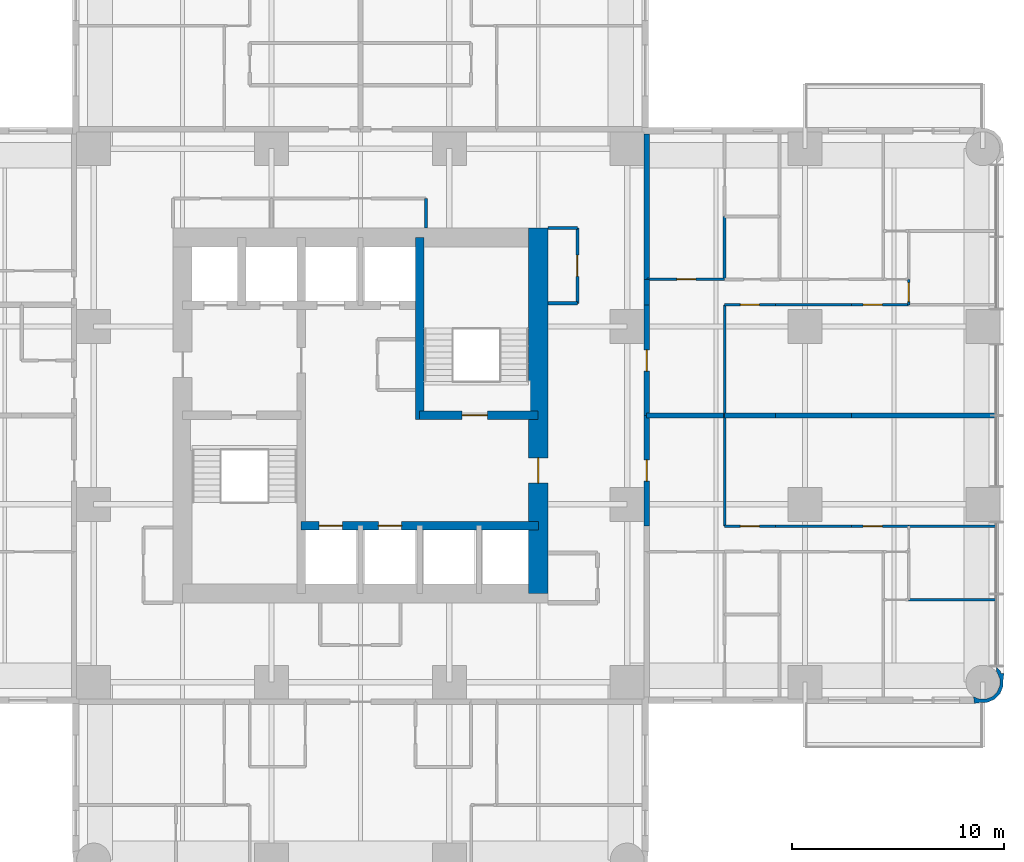
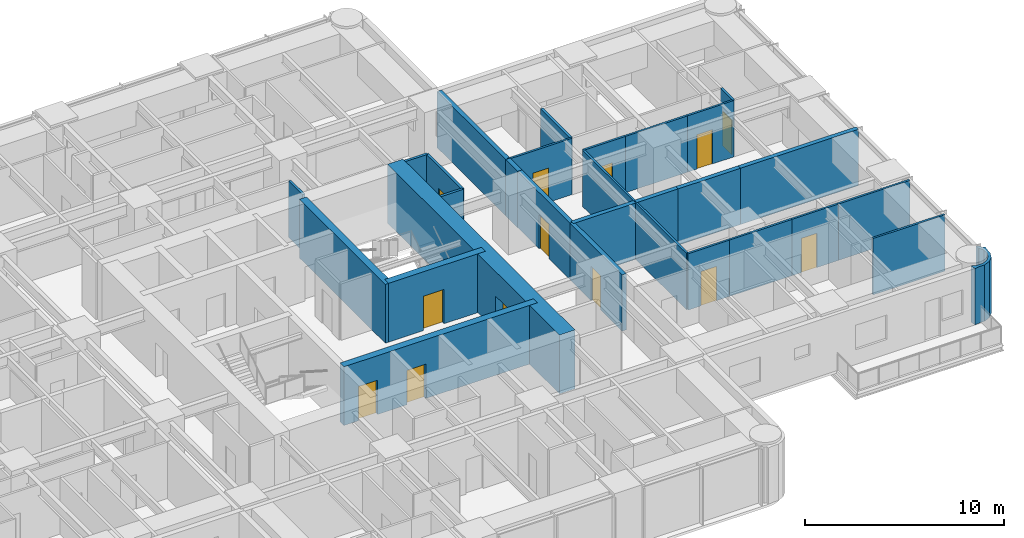
# One storey, part 10 of 15: 30 walls, 13 doors, 13 openings.
"""IFC4 building model written with IfcOpenShell, lengths in metres."""

from ifc_helpers import new_model, si_unit, direction, frame, frame_2d, origin, place, context, subcontext, project, spatial, polyline, rectangle, outline, extrude, material, layer, layer_set, type_object, element, fill, save


model = new_model("IFC4")

# Units and contexts
model_context = context("Model", 3, precision=1e-05, world=origin(), true_north=direction((0.0, 1.0)))
body_context = subcontext(model_context, "Body", "Model", "MODEL_VIEW")
ifc_project = project(units=[si_unit("LENGTHUNIT", "METRE"), si_unit("AREAUNIT", "SQUARE_METRE"), si_unit("VOLUMEUNIT", "CUBIC_METRE"), si_unit("PLANEANGLEUNIT", "RADIAN"), si_unit("MASSUNIT", "GRAM", prefix="KILO")], contexts=[model_context])

# Site, building, storey
site_placement = place(None, origin())
site = spatial("IfcSite", under=ifc_project, at=site_placement, CompositionType="ELEMENT")
building_placement = place(site_placement, origin())
building = spatial("IfcBuilding", under=site, at=building_placement, Name="Torre Alcanfor", CompositionType="ELEMENT")
storey_placement = place(building_placement, frame((0.0, 0.0, 119.699951171875)))
storey = spatial("IfcBuildingStorey", under=building, at=storey_placement, Name="L30", CompositionType="ELEMENT", Elevation=119.699951171875)

# Wall, opening, door
ifc_material_1 = material(Name="Concrete block masonry, hollow blocks NMX-C-404 9 MPa", Category="masonry")
ifc_layer_1 = layer(ifc_material_1, 0.25)
ifc_layer_set_1 = layer_set([ifc_layer_1], Name="Apartment entrance wall 250 EI 60")
wall_type_1 = type_object("IfcWallType", Name="Apartment entrance wall 250 EI 60", PredefinedType="PARTITIONING", material=ifc_layer_set_1)
wall_1_placement = place(storey_placement, frame((42.925048828125, 34.62890625, 0.0), z_axis=(0.0, 0.0, 1.0), x_axis=(0.0, -1.0, 0.0)))
wall_1 = element("IfcWall", 1, at=wall_1_placement, inside=storey, type_object=wall_type_1, Name="Partition L30-CORR / L30-E1-ZAG", PredefinedType="PARTITIONING", context=body_context, shape_type="SweptSolid", body=[
    extrude(rectangle(XDim=5.22900390625, YDim=0.25, at=frame_2d((2.614501953125, 0.0))), origin(), (0.0, 0.0, 1.0), 3.449951171875),
])
opening_1_placement = place(wall_1_placement, frame((2.12890625, 0.0, 0.0)))
opening_1 = element("IfcOpeningElement", 2, at=opening_1_placement, cuts=wall_1, Name="Opening D-A1", PredefinedType="OPENING", context=body_context, shape_type="SweptSolid", body=[
    extrude(rectangle(XDim=1.0, YDim=2.10009765625, at=frame_2d((0.5, 1.050048828125))), frame((0.0, 0.135009765625, 0.0), z_axis=(0.0, -1.0, 0.0), x_axis=(1.0, 0.0, 0.0)), (0.0, 0.0, 1.0), 0.27001953125),
])
ifc_material_2 = material(Name="Galvanised steel sheet ASTM A653", Category="steel")
door_type_1 = type_object("IfcDoorType", Name="Apartment entrance door FD60 1000x2100", OperationType="SINGLE_SWING_LEFT", PredefinedType="DOOR", material=ifc_material_2)
door_1_placement = place(opening_1_placement, origin())
door_1 = element("IfcDoor", 3, at=door_1_placement, inside=storey, type_object=door_type_1, Name="Apartment entrance L30-E1", OperationType="SINGLE_SWING_RIGHT", OverallHeight=2.10009765625, OverallWidth=1.0, PredefinedType="DOOR", context=body_context, shape_type="SweptSolid", body=[
    extrude(rectangle(XDim=1.0, YDim=2.10009765625, at=frame_2d((0.5, 1.050048828125))), frame((0.0, 0.02490234375, 0.0), z_axis=(0.0, -1.0, 0.0), x_axis=(1.0, 0.0, 0.0)), (0.0, 0.0, 1.0), 0.050048828125),
])
fill(opening_1, door_1)

# Walls
wall_2_placement = place(storey_placement, frame((42.925048828125, 35.8291015625, 0.0), z_axis=(0.0, 0.0, 1.0), x_axis=(0.0, -1.0, 0.0)))
element("IfcWall", 4, at=wall_2_placement, inside=storey, type_object=wall_type_1, Name="Partition L30-CORR / L30-E1-HALL", PredefinedType="PARTITIONING", context=body_context, shape_type="SweptSolid", body=[
    extrude(rectangle(XDim=1.2001953125, YDim=0.25, at=frame_2d((0.60009765625, 0.0))), origin(), (0.0, 0.0, 1.0), 3.449951171875),
])
wall_3_placement = place(storey_placement, frame((42.925048828125, 42.699951171875, 0.0), z_axis=(0.0, 0.0, 1.0), x_axis=(0.0, -1.0, 0.0)))
element("IfcWall", 5, at=wall_3_placement, inside=storey, type_object=wall_type_1, Name="Partition L30-CORR / L30-E1-SERV", PredefinedType="PARTITIONING", context=body_context, shape_type="SweptSolid", body=[
    extrude(rectangle(XDim=6.870849609375, YDim=0.25, at=frame_2d((3.435546875, 0.0))), origin(), (0.0, 0.0, 1.0), 3.449951171875),
])

# Wall, opening, door
wall_4_placement = place(storey_placement, frame((42.925048828125, 29.39990234375, 0.0), z_axis=(0.0, 0.0, 1.0), x_axis=(0.0, -1.0, 0.0)))
wall_4 = element("IfcWall", 6, at=wall_4_placement, inside=storey, type_object=wall_type_1, Name="Partition L30-CORR / L30-E2-ZAG", PredefinedType="PARTITIONING", context=body_context, shape_type="SweptSolid", body=[
    extrude(rectangle(XDim=5.22900390625, YDim=0.25, at=frame_2d((2.614501953125, 0.0))), origin(), (0.0, 0.0, 1.0), 3.449951171875),
])
opening_2_placement = place(wall_4_placement, frame((2.10009765625, 0.0, 0.0)))
opening_2 = element("IfcOpeningElement", 7, at=opening_2_placement, cuts=wall_4, Name="Opening D-A1", PredefinedType="OPENING", context=body_context, shape_type="SweptSolid", body=[
    extrude(rectangle(XDim=1.0, YDim=2.10009765625, at=frame_2d((0.5, 1.050048828125))), frame((0.0, 0.135009765625, 0.0), z_axis=(0.0, -1.0, 0.0), x_axis=(1.0, 0.0, 0.0)), (0.0, 0.0, 1.0), 0.27001953125),
])
door_2_placement = place(opening_2_placement, origin())
door_2 = element("IfcDoor", 8, at=door_2_placement, inside=storey, type_object=door_type_1, Name="Apartment entrance L30-E2", OperationType="SINGLE_SWING_LEFT", OverallHeight=2.10009765625, OverallWidth=1.0, PredefinedType="DOOR", context=body_context, shape_type="SweptSolid", body=[
    extrude(rectangle(XDim=1.0, YDim=2.10009765625, at=frame_2d((0.5, 1.050048828125))), frame((0.0, 0.02490234375, 0.0), z_axis=(0.0, -1.0, 0.0), x_axis=(1.0, 0.0, 0.0)), (0.0, 0.0, 1.0), 0.050048828125),
])
fill(opening_2, door_2)

# Wall
ifc_material_3 = material(Name="Gypsum board on steel studs", Category="steel")
ifc_layer_2 = layer(ifc_material_3, 0.1201171875)
ifc_layer_set_2 = layer_set([ifc_layer_2], Name="Apartment partition 120")
wall_type_2 = type_object("IfcWallType", Name="Apartment partition 120", PredefinedType="PARTITIONING", material=ifc_layer_set_2)
wall_5_placement = place(storey_placement, frame((46.60009765625, 29.39990234375, 0.0), z_axis=(0.0, 0.0, 1.0), x_axis=(0.0, 1.0, 0.0)))
element("IfcWall", 9, at=wall_5_placement, inside=storey, type_object=wall_type_2, Name="Partition L30-E1-ZAG / L30-E1-LAUND", PredefinedType="PARTITIONING", context=body_context, shape_type="SweptSolid", body=[
    extrude(rectangle(XDim=5.22900390625, YDim=0.1201171875, at=frame_2d((2.614501953125, 0.0))), origin(), (0.0, 0.0, 1.0), 3.449951171875),
])

# Wall, opening, door
wall_6_placement = place(storey_placement, frame((49.0, 34.62890625, 0.0), z_axis=(0.0, 0.0, 1.0), x_axis=(-1.0, 0.0, 0.0)))
wall_6 = element("IfcWall", 10, at=wall_6_placement, inside=storey, type_object=wall_type_2, Name="Partition L30-E1-LAUND / L30-E1-HALL", PredefinedType="PARTITIONING", context=body_context, shape_type="SweptSolid", body=[
    extrude(rectangle(XDim=2.39990234375, YDim=0.1201171875, at=frame_2d((1.199951171875, 0.0))), origin(), (0.0, 0.0, 1.0), 3.449951171875),
])
opening_3_placement = place(wall_6_placement, frame((0.75, 0.0, 0.0)))
opening_3 = element("IfcOpeningElement", 11, at=opening_3_placement, cuts=wall_6, Name="Opening D-R1", PredefinedType="OPENING", context=body_context, shape_type="SweptSolid", body=[
    extrude(rectangle(XDim=0.89990234375, YDim=2.10009765625, at=frame_2d((0.449951171875, 1.050048828125))), frame((0.0, 0.070068359375, 0.0), z_axis=(0.0, -1.0, 0.0), x_axis=(1.0, 0.0, 0.0)), (0.0, 0.0, 1.0), 0.14013671875),
])
ifc_material_4 = material(Name="Timber", Category="wood")
door_type_2 = type_object("IfcDoorType", Name="Internal door 900x2100", OperationType="SINGLE_SWING_LEFT", PredefinedType="DOOR", material=ifc_material_4)
door_3_placement = place(opening_3_placement, origin())
door_3 = element("IfcDoor", 12, at=door_3_placement, inside=storey, type_object=door_type_2, Name="Door L30-E1 laund", OperationType="SINGLE_SWING_LEFT", OverallHeight=2.10009765625, OverallWidth=0.89990234375, PredefinedType="DOOR", context=body_context, shape_type="SweptSolid", body=[
    extrude(rectangle(XDim=0.89990234375, YDim=2.10009765625, at=frame_2d((0.449951171875, 1.050048828125))), frame((0.0, 0.02490234375, 0.0), z_axis=(0.0, -1.0, 0.0), x_axis=(1.0, 0.0, 0.0)), (0.0, 0.0, 1.0), 0.050048828125),
])
fill(opening_3, door_3)

# Wall
wall_7_placement = place(storey_placement, frame((52.60009765625, 34.62890625, 0.0), z_axis=(0.0, 0.0, 1.0), x_axis=(-1.0, 0.0, 0.0)))
element("IfcWall", 13, at=wall_7_placement, inside=storey, type_object=wall_type_2, Name="Partition L30-E1-KITCHEN / L30-E1-HALL", PredefinedType="PARTITIONING", context=body_context, shape_type="SweptSolid", body=[
    extrude(rectangle(XDim=3.60009765625, YDim=0.1201171875, at=frame_2d((1.800048828125, 0.0))), origin(), (0.0, 0.0, 1.0), 3.449951171875),
])

# Wall, opening, door
wall_8_placement = place(storey_placement, frame((55.300048828125, 34.62890625, 0.0), z_axis=(0.0, 0.0, 1.0), x_axis=(-1.0, 0.0, 0.0)))
wall_8 = element("IfcWall", 14, at=wall_8_placement, inside=storey, type_object=wall_type_2, Name="Partition L30-E1-LIVING / L30-E1-HALL", PredefinedType="PARTITIONING", context=body_context, shape_type="SweptSolid", body=[
    extrude(rectangle(XDim=2.699951171875, YDim=0.1201171875, at=frame_2d((1.35009765625, 0.0))), origin(), (0.0, 0.0, 1.0), 3.449951171875),
])
opening_4_placement = place(wall_8_placement, frame((1.25, 0.0, 0.0)))
opening_4 = element("IfcOpeningElement", 15, at=opening_4_placement, cuts=wall_8, Name="Opening D-R1", PredefinedType="OPENING", context=body_context, shape_type="SweptSolid", body=[
    extrude(rectangle(XDim=0.89990234375, YDim=2.10009765625, at=frame_2d((0.449951171875, 1.050048828125))), frame((0.0, 0.070068359375, 0.0), z_axis=(0.0, -1.0, 0.0), x_axis=(1.0, 0.0, 0.0)), (0.0, 0.0, 1.0), 0.14013671875),
])
door_4_placement = place(opening_4_placement, origin())
door_4 = element("IfcDoor", 16, at=door_4_placement, inside=storey, type_object=door_type_2, Name="Door L30-E1 living", OperationType="SINGLE_SWING_RIGHT", OverallHeight=2.10009765625, OverallWidth=0.89990234375, PredefinedType="DOOR", context=body_context, shape_type="SweptSolid", body=[
    extrude(rectangle(XDim=0.89990234375, YDim=2.10009765625, at=frame_2d((0.449951171875, 1.050048828125))), frame((0.0, 0.02490234375, 0.0), z_axis=(0.0, -1.0, 0.0), x_axis=(1.0, 0.0, 0.0)), (0.0, 0.0, 1.0), 0.050048828125),
])
fill(opening_4, door_4)

wall_9_placement = place(storey_placement, frame((46.60009765625, 35.8291015625, 0.0), z_axis=(0.0, 0.0, 1.0), x_axis=(-1.0, 0.0, 0.0)))
wall_9 = element("IfcWall", 17, at=wall_9_placement, inside=storey, type_object=wall_type_2, Name="Partition L30-E1-HALL / L30-E1-SERV", PredefinedType="PARTITIONING", context=body_context, shape_type="SweptSolid", body=[
    extrude(rectangle(XDim=3.675048828125, YDim=0.1201171875, at=frame_2d((1.83740234375, 0.0))), origin(), (0.0, 0.0, 1.0), 3.449951171875),
])
opening_5_placement = place(wall_9_placement, frame((1.35009765625, 0.0, 0.0)))
opening_5 = element("IfcOpeningElement", 18, at=opening_5_placement, cuts=wall_9, Name="Opening D-R1", PredefinedType="OPENING", context=body_context, shape_type="SweptSolid", body=[
    extrude(rectangle(XDim=0.89990234375, YDim=2.10009765625, at=frame_2d((0.449951171875, 1.050048828125))), frame((0.0, 0.070068359375, 0.0), z_axis=(0.0, -1.0, 0.0), x_axis=(1.0, 0.0, 0.0)), (0.0, 0.0, 1.0), 0.14013671875),
])
door_5_placement = place(opening_5_placement, frame((0.89990234375, 0.0, 0.0), z_axis=(0.0, 0.0, 1.0), x_axis=(-1.0, 0.0, 0.0)))
door_5 = element("IfcDoor", 19, at=door_5_placement, inside=storey, type_object=door_type_2, Name="Door L30-E1 serv", OperationType="SINGLE_SWING_RIGHT", OverallHeight=2.10009765625, OverallWidth=0.89990234375, PredefinedType="DOOR", context=body_context, shape_type="SweptSolid", body=[
    extrude(rectangle(XDim=0.89990234375, YDim=2.10009765625, at=frame_2d((0.449951171875, 1.050048828125))), frame((0.0, 0.025146484375, 0.0), z_axis=(0.0, -1.0, 0.0), x_axis=(1.0, 0.0, 0.0)), (0.0, 0.0, 1.0), 0.050048828125),
])
fill(opening_5, door_5)

wall_10_placement = place(storey_placement, frame((55.300048828125, 34.62890625, 0.0), z_axis=(0.0, 0.0, 1.0), x_axis=(0.0, 1.0, 0.0)))
wall_10 = element("IfcWall", 20, at=wall_10_placement, inside=storey, type_object=wall_type_2, Name="Partition L30-E1-HALL / L30-E1-BED2", PredefinedType="PARTITIONING", context=body_context, shape_type="SweptSolid", body=[
    extrude(rectangle(XDim=1.2001953125, YDim=0.1201171875, at=frame_2d((0.60009765625, 0.0))), origin(), (0.0, 0.0, 1.0), 3.449951171875),
])
opening_6_placement = place(wall_10_placement, frame((0.15087890625, 0.0, 0.0)))
opening_6 = element("IfcOpeningElement", 21, at=opening_6_placement, cuts=wall_10, Name="Opening D-R1", PredefinedType="OPENING", context=body_context, shape_type="SweptSolid", body=[
    extrude(rectangle(XDim=0.89990234375, YDim=2.10009765625, at=frame_2d((0.449951171875, 1.050048828125))), frame((0.0, 0.070068359375, 0.0), z_axis=(0.0, -1.0, 0.0), x_axis=(1.0, 0.0, 0.0)), (0.0, 0.0, 1.0), 0.14013671875),
])
door_6_placement = place(opening_6_placement, frame((0.89990234375, 0.0, 0.0), z_axis=(0.0, 0.0, 1.0), x_axis=(-1.0, 0.0, 0.0)))
door_6 = element("IfcDoor", 22, at=door_6_placement, inside=storey, type_object=door_type_2, Name="Door L30-E1 bed2", OperationType="SINGLE_SWING_RIGHT", OverallHeight=2.10009765625, OverallWidth=0.89990234375, PredefinedType="DOOR", context=body_context, shape_type="SweptSolid", body=[
    extrude(rectangle(XDim=0.89990234375, YDim=2.10009765625, at=frame_2d((0.449951171875, 1.050048828125))), frame((0.0, 0.025146484375, 0.0), z_axis=(0.0, -1.0, 0.0), x_axis=(1.0, 0.0, 0.0)), (0.0, 0.0, 1.0), 0.050048828125),
])
fill(opening_6, door_6)

# Wall
wall_11_placement = place(storey_placement, frame((46.60009765625, 29.39990234375, 0.0), z_axis=(0.0, 0.0, 1.0), x_axis=(0.0, -1.0, 0.0)))
element("IfcWall", 23, at=wall_11_placement, inside=storey, type_object=wall_type_2, Name="Partition L30-E2-ZAG / L30-E2-LAUND", PredefinedType="PARTITIONING", context=body_context, shape_type="SweptSolid", body=[
    extrude(rectangle(XDim=5.22900390625, YDim=0.1201171875, at=frame_2d((2.614501953125, 0.0))), origin(), (0.0, 0.0, 1.0), 3.449951171875),
])

# Wall, opening, door
wall_12_placement = place(storey_placement, frame((49.0, 24.1708984375, 0.0), z_axis=(0.0, 0.0, 1.0), x_axis=(-1.0, 0.0, 0.0)))
wall_12 = element("IfcWall", 24, at=wall_12_placement, inside=storey, type_object=wall_type_2, Name="Partition L30-E2-LAUND / L30-E2-HALL", PredefinedType="PARTITIONING", context=body_context, shape_type="SweptSolid", body=[
    extrude(rectangle(XDim=2.39990234375, YDim=0.1201171875, at=frame_2d((1.199951171875, 0.0))), origin(), (0.0, 0.0, 1.0), 3.449951171875),
])
opening_7_placement = place(wall_12_placement, frame((0.75, 0.0, 0.0)))
opening_7 = element("IfcOpeningElement", 25, at=opening_7_placement, cuts=wall_12, Name="Opening D-R1", PredefinedType="OPENING", context=body_context, shape_type="SweptSolid", body=[
    extrude(rectangle(XDim=0.89990234375, YDim=2.10009765625, at=frame_2d((0.449951171875, 1.050048828125))), frame((0.0, 0.070068359375, 0.0), z_axis=(0.0, -1.0, 0.0), x_axis=(1.0, 0.0, 0.0)), (0.0, 0.0, 1.0), 0.14013671875),
])
door_7_placement = place(opening_7_placement, frame((0.89990234375, 0.0, 0.0), z_axis=(0.0, 0.0, 1.0), x_axis=(-1.0, 0.0, 0.0)))
door_7 = element("IfcDoor", 26, at=door_7_placement, inside=storey, type_object=door_type_2, Name="Door L30-E2 laund", OperationType="SINGLE_SWING_RIGHT", OverallHeight=2.10009765625, OverallWidth=0.89990234375, PredefinedType="DOOR", context=body_context, shape_type="SweptSolid", body=[
    extrude(rectangle(XDim=0.89990234375, YDim=2.10009765625, at=frame_2d((0.449951171875, 1.050048828125))), frame((0.0, 0.025146484375, 0.0), z_axis=(0.0, -1.0, 0.0), x_axis=(1.0, 0.0, 0.0)), (0.0, 0.0, 1.0), 0.050048828125),
])
fill(opening_7, door_7)

# Wall
wall_13_placement = place(storey_placement, frame((52.60009765625, 24.1708984375, 0.0), z_axis=(0.0, 0.0, 1.0), x_axis=(-1.0, 0.0, 0.0)))
element("IfcWall", 27, at=wall_13_placement, inside=storey, type_object=wall_type_2, Name="Partition L30-E2-KITCHEN / L30-E2-HALL", PredefinedType="PARTITIONING", context=body_context, shape_type="SweptSolid", body=[
    extrude(rectangle(XDim=3.60009765625, YDim=0.1201171875, at=frame_2d((1.800048828125, 0.0))), origin(), (0.0, 0.0, 1.0), 3.449951171875),
])

# Wall, opening, door
wall_14_placement = place(storey_placement, frame((55.300048828125, 24.1708984375, 0.0), z_axis=(0.0, 0.0, 1.0), x_axis=(-1.0, 0.0, 0.0)))
wall_14 = element("IfcWall", 28, at=wall_14_placement, inside=storey, type_object=wall_type_2, Name="Partition L30-E2-LIVING / L30-E2-HALL", PredefinedType="PARTITIONING", context=body_context, shape_type="SweptSolid", body=[
    extrude(rectangle(XDim=2.699951171875, YDim=0.1201171875, at=frame_2d((1.35009765625, 0.0))), origin(), (0.0, 0.0, 1.0), 3.449951171875),
])
opening_8_placement = place(wall_14_placement, frame((1.25, 0.0, 0.0)))
opening_8 = element("IfcOpeningElement", 29, at=opening_8_placement, cuts=wall_14, Name="Opening D-R1", PredefinedType="OPENING", context=body_context, shape_type="SweptSolid", body=[
    extrude(rectangle(XDim=0.89990234375, YDim=2.10009765625, at=frame_2d((0.449951171875, 1.050048828125))), frame((0.0, 0.070068359375, 0.0), z_axis=(0.0, -1.0, 0.0), x_axis=(1.0, 0.0, 0.0)), (0.0, 0.0, 1.0), 0.14013671875),
])
door_8_placement = place(opening_8_placement, frame((0.89990234375, 0.0, 0.0), z_axis=(0.0, 0.0, 1.0), x_axis=(-1.0, 0.0, 0.0)))
door_8 = element("IfcDoor", 30, at=door_8_placement, inside=storey, type_object=door_type_2, Name="Door L30-E2 living", OperationType="SINGLE_SWING_LEFT", OverallHeight=2.10009765625, OverallWidth=0.89990234375, PredefinedType="DOOR", context=body_context, shape_type="SweptSolid", body=[
    extrude(rectangle(XDim=0.89990234375, YDim=2.10009765625, at=frame_2d((0.449951171875, 1.050048828125))), frame((0.0, 0.025146484375, 0.0), z_axis=(0.0, -1.0, 0.0), x_axis=(1.0, 0.0, 0.0)), (0.0, 0.0, 1.0), 0.050048828125),
])
fill(opening_8, door_8)

# Walls
for number, where, z_axis, x_axis, name in (
    (31, (59.449951171875, 24.1708984375, 0.0), (0.0, 0.0, 1.0), (-1.0, 0.0, 0.0), "Partition L30-E2-LIVING / L30-E2-BED2"),
    (32, (59.449951171875, 20.68603515625, 0.0), (0.0, 0.0, 1.0), (-1.0, 0.0, 0.0), "Partition L30-E2-BED2 / L30-E2-MASTER"),
):
    element("IfcWall", number, at=place(storey_placement, frame(where, z_axis=z_axis, x_axis=x_axis)), inside=storey, type_object=wall_type_2, Name=name, PredefinedType="PARTITIONING", context=body_context, shape_type="SweptSolid", body=[
        extrude(rectangle(XDim=4.14990234375, YDim=0.1201171875, at=frame_2d((2.074951171875, 0.0))), origin(), (0.0, 0.0, 1.0), 3.449951171875),
    ])

# Wall, openings, doors
ifc_material_5 = material(Name="Concrete f'c 70 MPa", Category="concrete")
ifc_layer_3 = layer(ifc_material_5, 0.39990234375)
ifc_layer_set_3 = layer_set([ifc_layer_3], Name="Core inner wall 400 f'c70")
wall_type_3 = type_object("IfcWallType", Name="Core inner wall 400 f'c70", PredefinedType="SHEAR", material=ifc_layer_set_3)
wall_15_placement = place(storey_placement, frame((26.60009765625, 24.199951171875, 0.0), z_axis=(0.0, 0.0, 1.0), x_axis=(1.0, 0.0, 0.0)))
wall_15 = element("IfcWall", 33, at=wall_15_placement, inside=storey, type_object=wall_type_3, Name="Core wall Y242 L30", PredefinedType="SHEAR", context=body_context, shape_type="SweptSolid", body=[
    extrude(rectangle(XDim=11.199951171875, YDim=0.39990234375, at=frame_2d((5.60009765625, 0.0))), origin(), (0.0, 0.0, 1.0), 3.60009765625),
])
opening_9_placement = place(wall_15_placement, frame((0.85009765625, 0.0, 0.0)))
opening_9 = element("IfcOpeningElement", 34, at=opening_9_placement, cuts=wall_15, Name="Opening LD1", PredefinedType="OPENING", context=body_context, shape_type="SweptSolid", body=[
    extrude(rectangle(XDim=1.10009765625, YDim=2.10009765625, at=frame_2d((0.550048828125, 1.050048828125))), frame((0.0, 0.2099609375, 0.0), z_axis=(0.0, -1.0, 0.0), x_axis=(1.0, 0.0, 0.0)), (0.0, 0.0, 1.0), 0.419921875),
])
opening_10_placement = place(wall_15_placement, frame((3.64990234375, 0.0, 0.0)))
opening_10 = element("IfcOpeningElement", 35, at=opening_10_placement, cuts=wall_15, Name="Opening LD1", PredefinedType="OPENING", context=body_context, shape_type="SweptSolid", body=[
    extrude(rectangle(XDim=1.10009765625, YDim=2.10009765625, at=frame_2d((0.550048828125, 1.050048828125))), frame((0.0, 0.2099609375, 0.0), z_axis=(0.0, -1.0, 0.0), x_axis=(1.0, 0.0, 0.0)), (0.0, 0.0, 1.0), 0.419921875),
])
ifc_material_6 = material(Name="Galvanised steel sheet ASTM A653", Category="steel")
door_type_3 = type_object("IfcDoorType", Name="Lift landing door 1100x2100", OperationType="DOUBLE_DOOR_SLIDING", PredefinedType="DOOR", material=ifc_material_6)
door_9_placement = place(opening_9_placement, origin())
door_9 = element("IfcDoor", 36, at=door_9_placement, inside=storey, type_object=door_type_3, Name="Lift landing door PA1 L30", OperationType="DOUBLE_DOOR_SLIDING", OverallHeight=2.10009765625, OverallWidth=1.10009765625, PredefinedType="DOOR", context=body_context, shape_type="SweptSolid", body=[
    extrude(rectangle(XDim=1.10009765625, YDim=2.10009765625, at=frame_2d((0.550048828125, 1.050048828125))), frame((0.0, 0.02490234375, 0.0), z_axis=(0.0, -1.0, 0.0), x_axis=(1.0, 0.0, 0.0)), (0.0, 0.0, 1.0), 0.050048828125),
])
fill(opening_9, door_9)
door_10_placement = place(opening_10_placement, origin())
door_10 = element("IfcDoor", 37, at=door_10_placement, inside=storey, type_object=door_type_3, Name="Lift landing door PA2 L30", OperationType="DOUBLE_DOOR_SLIDING", OverallHeight=2.10009765625, OverallWidth=1.10009765625, PredefinedType="DOOR", context=body_context, shape_type="SweptSolid", body=[
    extrude(rectangle(XDim=1.10009765625, YDim=2.10009765625, at=frame_2d((0.550048828125, 1.050048828125))), frame((0.0, 0.02490234375, 0.0), z_axis=(0.0, -1.0, 0.0), x_axis=(1.0, 0.0, 0.0)), (0.0, 0.0, 1.0), 0.050048828125),
])
fill(opening_10, door_10)

# Wall
wall_16_placement = place(storey_placement, frame((32.199951171875, 29.199951171875, 0.0), z_axis=(0.0, 0.0, 1.0), x_axis=(0.0, 1.0, 0.0)))
element("IfcWall", 38, at=wall_16_placement, inside=storey, type_object=wall_type_3, Name="Core wall X322N L30", PredefinedType="SHEAR", context=body_context, shape_type="SweptSolid", body=[
    extrude(rectangle(XDim=8.60009765625, YDim=0.39990234375, at=frame_2d((4.300048828125, 0.0))), origin(), (0.0, 0.0, 1.0), 3.60009765625),
])

# Wall, opening, door
wall_17_placement = place(storey_placement, frame((32.199951171875, 29.39990234375, 0.0), z_axis=(0.0, 0.0, 1.0), x_axis=(1.0, 0.0, 0.0)))
wall_17 = element("IfcWall", 39, at=wall_17_placement, inside=storey, type_object=wall_type_3, Name="Core wall Y294E L30", PredefinedType="SHEAR", context=body_context, shape_type="SweptSolid", body=[
    extrude(rectangle(XDim=5.60009765625, YDim=0.39990234375, at=frame_2d((2.800048828125, 0.0))), origin(), (0.0, 0.0, 1.0), 3.60009765625),
])
opening_11_placement = place(wall_17_placement, frame((2.0, 0.0, 0.0)))
opening_11 = element("IfcOpeningElement", 40, at=opening_11_placement, cuts=wall_17, Name="Opening D-S2", PredefinedType="OPENING", context=body_context, shape_type="SweptSolid", body=[
    extrude(rectangle(XDim=1.199951171875, YDim=2.10009765625, at=frame_2d((0.60009765625, 1.050048828125))), frame((0.0, 0.2099609375, 0.0), z_axis=(0.0, -1.0, 0.0), x_axis=(1.0, 0.0, 0.0)), (0.0, 0.0, 1.0), 0.419921875),
])
ifc_material_7 = material(Name="Galvanised steel sheet ASTM A653", Category="steel")
door_type_4 = type_object("IfcDoorType", Name="Stair enclosure door FD120 1200x2100", OperationType="SINGLE_SWING_LEFT", PredefinedType="DOOR", material=ifc_material_7)
door_11_placement = place(opening_11_placement, origin())
door_11 = element("IfcDoor", 41, at=door_11_placement, inside=storey, type_object=door_type_4, Name="Stair S2 door L30", OperationType="SINGLE_SWING_LEFT", OverallHeight=2.10009765625, OverallWidth=1.199951171875, PredefinedType="DOOR", context=body_context, shape_type="SweptSolid", body=[
    extrude(rectangle(XDim=1.199951171875, YDim=2.10009765625, at=frame_2d((0.60009765625, 1.050048828125))), frame((0.0, 0.02490234375, 0.0), z_axis=(0.0, -1.0, 0.0), x_axis=(1.0, 0.0, 0.0)), (0.0, 0.0, 1.0), 0.050048828125),
])
fill(opening_11, door_11)

ifc_material_8 = material(Name="Concrete f'c 70 MPa", Category="concrete")
ifc_layer_4 = layer(ifc_material_8, 0.89990234375)
ifc_layer_set_4 = layer_set([ifc_layer_4], Name="Core wall 900 f'c70")
wall_type_4 = type_object("IfcWallType", Name="Core wall 900 f'c70", PredefinedType="SHEAR", material=ifc_layer_set_4)
wall_18_placement = place(storey_placement, frame((37.800048828125, 21.0, 0.0), z_axis=(0.0, 0.0, 1.0), x_axis=(0.0, 1.0, 0.0)))
wall_18 = element("IfcWall", 42, at=wall_18_placement, inside=storey, type_object=wall_type_4, Name="Core wall OUT-E L30", PredefinedType="SHEAR", context=body_context, shape_type="SweptSolid", body=[
    extrude(rectangle(XDim=17.25, YDim=0.89990234375, at=frame_2d((8.625, 0.0))), origin(), (0.0, 0.0, 1.0), 3.60009765625),
])
opening_12_placement = place(wall_18_placement, frame((5.199951171875, 0.0, 0.0)))
opening_12 = element("IfcOpeningElement", 43, at=opening_12_placement, cuts=wall_18, Name="Opening D-L1", PredefinedType="OPENING", context=body_context, shape_type="SweptSolid", body=[
    extrude(rectangle(XDim=1.199951171875, YDim=2.10009765625, at=frame_2d((0.60009765625, 1.050048828125))), frame((0.0, 0.4599609375, 0.0), z_axis=(0.0, -1.0, 0.0), x_axis=(1.0, 0.0, 0.0)), (0.0, 0.0, 1.0), 0.919921875),
])
ifc_material_9 = material(Name="Galvanised steel sheet ASTM A653", Category="steel")
door_type_5 = type_object("IfcDoorType", Name="Lobby door FD120 1200x2100", OperationType="SINGLE_SWING_LEFT", PredefinedType="DOOR", material=ifc_material_9)
door_12_placement = place(opening_12_placement, origin())
door_12 = element("IfcDoor", 44, at=door_12_placement, inside=storey, type_object=door_type_5, Name="Lift lobby entrance door L30", OperationType="SINGLE_SWING_LEFT", OverallHeight=2.10009765625, OverallWidth=1.199951171875, PredefinedType="DOOR", context=body_context, shape_type="SweptSolid", body=[
    extrude(rectangle(XDim=1.199951171875, YDim=2.10009765625, at=frame_2d((0.60009765625, 1.050048828125))), frame((0.0, 0.02490234375, 0.0), z_axis=(0.0, -1.0, 0.0), x_axis=(1.0, 0.0, 0.0)), (0.0, 0.0, 1.0), 0.050048828125),
])
fill(opening_12, door_12)

# Walls
ifc_material_10 = material(Name="Concrete block masonry, hollow blocks NMX-C-404 9 MPa", Category="masonry")
ifc_layer_5 = layer(ifc_material_10, 0.25)
ifc_layer_set_5 = layer_set([ifc_layer_5], Name="Party wall 250 EI 60")
wall_type_5 = type_object("IfcWallType", Name="Party wall 250 EI 60", PredefinedType="PARTITIONING", material=ifc_layer_set_5)
wall_19_placement = place(storey_placement, frame((42.925048828125, 29.39990234375, 0.0), z_axis=(0.0, 0.0, 1.0), x_axis=(1.0, 0.0, 0.0)))
element("IfcWall", 45, at=wall_19_placement, inside=storey, type_object=wall_type_5, Name="Partition L30-E1-ZAG / L30-E2-ZAG", PredefinedType="PARTITIONING", context=body_context, shape_type="SweptSolid", body=[
    extrude(rectangle(XDim=3.675048828125, YDim=0.25, at=frame_2d((1.83740234375, 0.0))), origin(), (0.0, 0.0, 1.0), 3.449951171875),
])
wall_20_placement = place(storey_placement, frame((46.60009765625, 29.39990234375, 0.0), z_axis=(0.0, 0.0, 1.0), x_axis=(1.0, 0.0, 0.0)))
element("IfcWall", 46, at=wall_20_placement, inside=storey, type_object=wall_type_5, Name="Partition L30-E1-LAUND / L30-E2-LAUND", PredefinedType="PARTITIONING", context=body_context, shape_type="SweptSolid", body=[
    extrude(rectangle(XDim=2.39990234375, YDim=0.25, at=frame_2d((1.199951171875, 0.0))), origin(), (0.0, 0.0, 1.0), 3.449951171875),
])
wall_21_placement = place(storey_placement, frame((49.0, 29.39990234375, 0.0), z_axis=(0.0, 0.0, 1.0), x_axis=(1.0, 0.0, 0.0)))
element("IfcWall", 47, at=wall_21_placement, inside=storey, type_object=wall_type_5, Name="Partition L30-E1-KITCHEN / L30-E2-KITCHEN", PredefinedType="PARTITIONING", context=body_context, shape_type="SweptSolid", body=[
    extrude(rectangle(XDim=3.60009765625, YDim=0.25, at=frame_2d((1.800048828125, 0.0))), origin(), (0.0, 0.0, 1.0), 3.449951171875),
])
wall_22_placement = place(storey_placement, frame((52.60009765625, 29.39990234375, 0.0), z_axis=(0.0, 0.0, 1.0), x_axis=(1.0, 0.0, 0.0)))
element("IfcWall", 48, at=wall_22_placement, inside=storey, type_object=wall_type_5, Name="Partition L30-E1-LIVING / L30-E2-LIVING", PredefinedType="PARTITIONING", context=body_context, shape_type="SweptSolid", body=[
    extrude(rectangle(XDim=6.849853515625, YDim=0.25, at=frame_2d((3.4248046875, 0.0))), origin(), (0.0, 0.0, 1.0), 3.449951171875),
])
ifc_material_11 = material(Name="Concrete block masonry, hollow blocks NMX-C-404 9 MPa", Category="masonry")
ifc_layer_6 = layer(ifc_material_11, 0.14990234375)
ifc_layer_set_6 = layer_set([ifc_layer_6], Name="Residents' room partition 150")
wall_type_6 = type_object("IfcWallType", Name="Residents' room partition 150", PredefinedType="PARTITIONING", material=ifc_layer_set_6)
for number, where, z_axis, x_axis, name in (
    (49, (32.5, 38.25, 0.0), (0.0, 0.0, 1.0), (0.0, 1.0, 0.0), "Partition L30-CORR / L30-G02"),
    (50, (38.25, 34.699951171875, 0.0), (0.0, 0.0, 1.0), (1.0, 0.0, 0.0), "Partition L30-CORR / L30-G04"),
):
    element("IfcWall", number, at=place(storey_placement, frame(where, z_axis=z_axis, x_axis=x_axis)), inside=storey, type_object=wall_type_6, Name=name, PredefinedType="PARTITIONING", context=body_context, shape_type="SweptSolid", body=[
        extrude(rectangle(XDim=1.39990234375, YDim=0.14990234375, at=frame_2d((0.699951171875, 0.0))), origin(), (0.0, 0.0, 1.0), 3.449951171875),
    ])

# Wall, opening, door
wall_23_placement = place(storey_placement, frame((39.64990234375, 34.699951171875, 0.0), z_axis=(0.0, 0.0, 1.0), x_axis=(0.0, 1.0, 0.0)))
wall_23 = element("IfcWall", 51, at=wall_23_placement, inside=storey, type_object=wall_type_6, Name="Partition L30-CORR / L30-G04", PredefinedType="PARTITIONING", context=body_context, shape_type="SweptSolid", body=[
    extrude(rectangle(XDim=3.550048828125, YDim=0.14990234375, at=frame_2d((1.77490234375, 0.0))), origin(), (0.0, 0.0, 1.0), 3.449951171875),
])
opening_13_placement = place(wall_23_placement, frame((1.27490234375, 0.0, 0.0)))
opening_13 = element("IfcOpeningElement", 52, at=opening_13_placement, cuts=wall_23, Name="Opening D-M1", PredefinedType="OPENING", context=body_context, shape_type="SweptSolid", body=[
    extrude(rectangle(XDim=1.0, YDim=2.10009765625, at=frame_2d((0.5, 1.050048828125))), frame((0.0, 0.0849609375, 0.0), z_axis=(0.0, -1.0, 0.0), x_axis=(1.0, 0.0, 0.0)), (0.0, 0.0, 1.0), 0.169921875),
])
ifc_material_12 = material(Name="Timber", Category="wood")
door_type_6 = type_object("IfcDoorType", Name="Residents' room door 1000x2100", OperationType="SINGLE_SWING_LEFT", PredefinedType="DOOR", material=ifc_material_12)
door_13_placement = place(opening_13_placement, origin())
door_13 = element("IfcDoor", 53, at=door_13_placement, inside=storey, type_object=door_type_6, Name="Door L30-G04 pram and buggy store", OperationType="SINGLE_SWING_LEFT", OverallHeight=2.10009765625, OverallWidth=1.0, PredefinedType="DOOR", context=body_context, shape_type="SweptSolid", body=[
    extrude(rectangle(XDim=1.0, YDim=2.10009765625, at=frame_2d((0.5, 1.050048828125))), frame((0.0, 0.02490234375, 0.0), z_axis=(0.0, -1.0, 0.0), x_axis=(1.0, 0.0, 0.0)), (0.0, 0.0, 1.0), 0.050048828125),
])
fill(opening_13, door_13)

# Walls
wall_24_placement = place(storey_placement, frame((39.64990234375, 38.25, 0.0), z_axis=(0.0, 0.0, 1.0), x_axis=(-1.0, 0.0, 0.0)))
element("IfcWall", 54, at=wall_24_placement, inside=storey, type_object=wall_type_6, Name="Partition L30-CORR / L30-G04", PredefinedType="PARTITIONING", context=body_context, shape_type="SweptSolid", body=[
    extrude(rectangle(XDim=1.39990234375, YDim=0.14990234375, at=frame_2d((0.699951171875, 0.0))), origin(), (0.0, 0.0, 1.0), 3.449951171875),
])
ifc_material_13 = material(Name="Limestone cladding", Category="masonry")
ifc_layer_7 = layer(ifc_material_13, 0.0400390625, Name="Facing")
ifc_material_14 = material(Name="Ventilated air cavity")
ifc_layer_8 = layer(ifc_material_14, 0.02001953125, ventilated=True, Name="Ventilated joint")
ifc_material_15 = material(Name="Mineral wool insulation", Category="insulation")
ifc_layer_9 = layer(ifc_material_15, 0.10009765625, Name="Insulation")
ifc_material_16 = material(Name="Concrete f'c 35 MPa", Category="concrete")
ifc_layer_10 = layer(ifc_material_16, 0.139892578125, Name="Backing")
ifc_layer_set_7 = layer_set([ifc_layer_7, ifc_layer_8, ifc_layer_9, ifc_layer_10], Name="Rounded corner pier stone-clad 300")
wall_type_7 = type_object("IfcWallType", Name="Rounded corner pier stone-clad 300", PredefinedType="SOLIDWALL", material=ifc_layer_set_7)
wall_25_placement = place(storey_placement, frame((58.473176205, 15.982940512, 0.0), z_axis=(0.0, 0.0, 1.0), x_axis=(0.93923434088, -0.343276641956, 0.0)))
element("IfcWall", 55, at=wall_25_placement, inside=storey, type_object=wall_type_7, Name="Corner pier L30 17", PredefinedType="SOLIDWALL", context=body_context, shape_type="SweptSolid", body=[
    extrude(outline(polyline([(0.8284730010654036, 1.5985425833407376), (0.696550254150438, 1.5690420941096577), (0.604150309609554, 1.6696580493968027), (0.3940514645210207, 1.7672868618913617), (0.47123842429676593, 1.5560967183488668), (0.5084988752141064, 1.538782517623304), (0.7242236800575332, 1.304144262222244), (0.8335928250166512, 1.004900899222292), (0.8200123708562836, 0.6864548699061994), (0.6857181921193565, 0.39745154052212156), (0.4509961289443815, 0.18195604093769838), (0.15175276594442946, 0.07258689597858048), (-0.11627514476265094, 0.08405951949541965), (-0.12738305855443924, 0.07818018621272643), (-0.1459567845337466, 0.07139175652560875), (-0.006038883692560254, -0.1969313551897346), (0.2657016888450987, -0.05498461418889633), (0.5353646734335612, 0.04357332793518234), (0.8165937238928549, 0.3018001061266741), (0.9775139424010254, 0.6481031205348973), (0.9937655592370759, 1.0296500763704852), (0.8951238093390822, 1.2995423662179517), (0.8284730010654036, 1.5985425833407376)])), origin(), (0.0, 0.0, 1.0), 3.449951171875),
])
ifc_material_17 = material(Name="Cement board on steel studs", Category="steel")
ifc_layer_11 = layer(ifc_material_17, 0.14990234375)
ifc_layer_set_8 = layer_set([ifc_layer_11], Name="Wet area partition 150")
wall_type_8 = type_object("IfcWallType", Name="Wet area partition 150", PredefinedType="PARTITIONING", material=ifc_layer_set_8)
wall_26_placement = place(storey_placement, frame((46.60009765625, 35.8291015625, 0.0), z_axis=(0.0, 0.0, 1.0), x_axis=(0.0, 1.0, 0.0)))
element("IfcWall", 56, at=wall_26_placement, inside=storey, type_object=wall_type_8, Name="Partition L30-E1-SERV / L30-E1-BATH1", PredefinedType="PARTITIONING", context=body_context, shape_type="SweptSolid", body=[
    extrude(rectangle(XDim=2.970947265625, YDim=0.14990234375, at=frame_2d((1.4853515625, 0.0))), origin(), (0.0, 0.0, 1.0), 3.449951171875),
])

save(model, "model.ifc")
